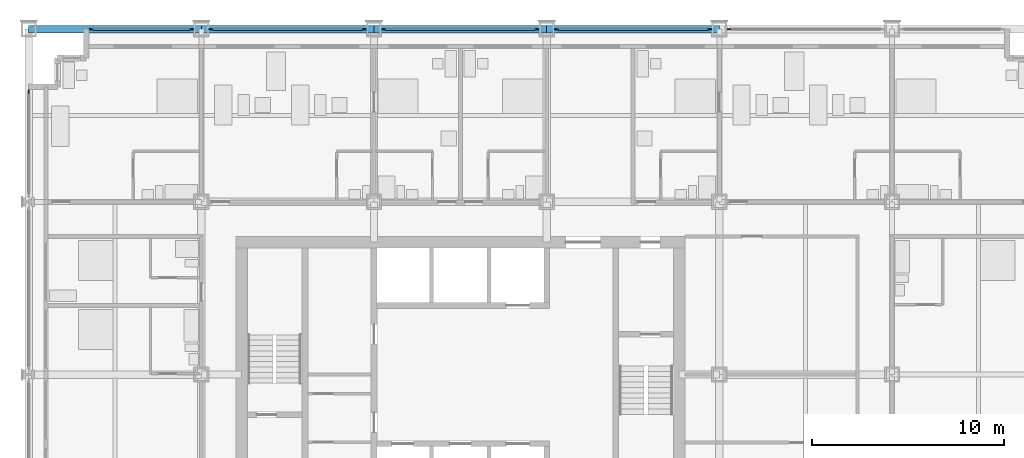
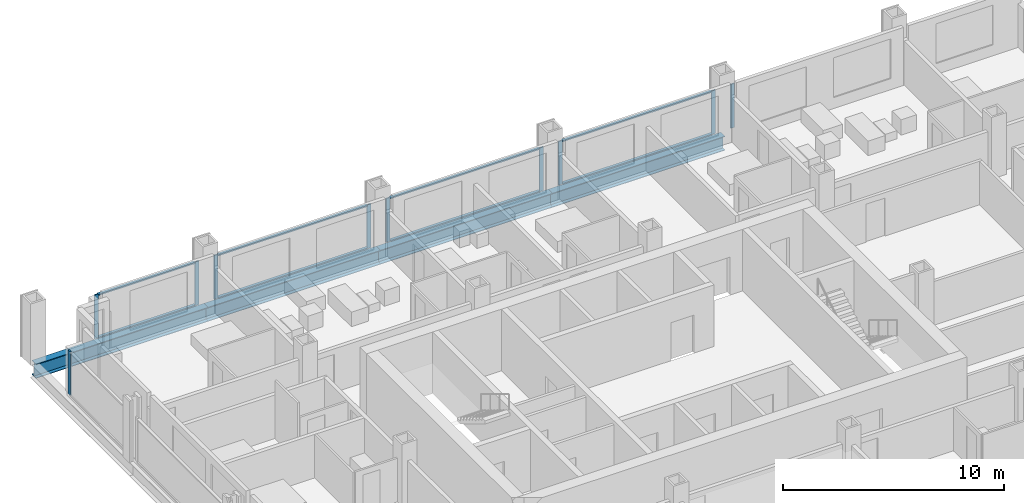
# One storey, part 7 of 18: 18 members, 4 beams, 6 elements without a shape of their own.
"""IFC4 building model written with IfcOpenShell, lengths in metres."""

from ifc_helpers import new_model, si_unit, direction, frame, origin, origin_2d, place, context, subcontext, project, spatial, rectangle, i_section, extrude, material, material_profile, profile_set, type_object, element, aggregate, save


model = new_model("IFC4")

# Units and contexts
model_context = context("Model", 3, precision=1e-05, world=origin(), true_north=direction((0.0, 1.0)))
body_context = subcontext(model_context, "Body", "Model", "MODEL_VIEW")
ifc_project = project(units=[si_unit("LENGTHUNIT", "METRE"), si_unit("AREAUNIT", "SQUARE_METRE"), si_unit("VOLUMEUNIT", "CUBIC_METRE"), si_unit("PLANEANGLEUNIT", "RADIAN"), si_unit("MASSUNIT", "GRAM", prefix="KILO")], contexts=[model_context])

# Site, building, storey
site_placement = place(None, origin())
site = spatial("IfcSite", under=ifc_project, at=site_placement, CompositionType="ELEMENT")
building_placement = place(site_placement, origin())
building = spatial("IfcBuilding", under=site, at=building_placement, Name="Loomwork Tower", CompositionType="ELEMENT")
storey_placement = place(building_placement, frame((0.0, 0.0, 45.0)))
storey = spatial("IfcBuildingStorey", under=building, at=storey_placement, Name="L10", CompositionType="ELEMENT", Elevation=45.0)

# Curtain wall, members
ifc_material_1 = material(Name="Aluminium curtain wall frame", Category="aluminium")
curtain_wall_type = type_object("IfcCurtainWallType", Name="Outer skin glazing hotel", PredefinedType="NOTDEFINED", material=ifc_material_1)
curtain_wall_1_placement = place(storey_placement, origin())
curtain_wall_1 = element("IfcCurtainWall", 1, at=curtain_wall_1_placement, inside=storey, type_object=curtain_wall_type, Name="Outer skin glazing hotel cw/N-0", PredefinedType="NOTDEFINED")
ifc_material_2 = material(Name="Aluminium curtain wall frame", Category="aluminium")
ifc_material_profile_1 = material_profile(ifc_material_2, rectangle(XDim=0.06494140625, YDim=0.199951171875, at=origin_2d()), Name="AL 65x200")
ifc_profile_set_1 = profile_set([ifc_material_profile_1], Name="Aluminium curtain wall frame")
member_type_1 = type_object("IfcMemberType", Name="Outer skin glazing hotel mullion", PredefinedType="MULLION", material=ifc_profile_set_1)
member_1_placement = place(storey_placement, frame((8.5, 36.0, 0.0), z_axis=(0.0, 0.0, 1.0), x_axis=(0.0, -1.0, 0.0)))
member_1 = element("IfcMember", 2, at=member_1_placement, type_object=member_type_1, Name="CW1 mullion 1", PredefinedType="MULLION", context=body_context, shape_type="SweptSolid", body=[
    extrude(rectangle(XDim=0.06494140625, YDim=0.199951171875, at=origin_2d()), origin(), (0.0, 0.0, 1.0), 2.420166015625),
])
member_2_placement = place(storey_placement, frame((3.25, 36.0, 0.0), z_axis=(0.0, 0.0, 1.0), x_axis=(0.0, -1.0, 0.0)))
member_2 = element("IfcMember", 3, at=member_2_placement, type_object=member_type_1, Name="CW1 mullion 2", PredefinedType="MULLION", context=body_context, shape_type="SweptSolid", body=[
    extrude(rectangle(XDim=0.06494140625, YDim=0.199951171875, at=origin_2d()), origin(), (0.0, 0.0, 1.0), 2.420166015625),
])

curtain_wall_2_placement = place(storey_placement, origin())
curtain_wall_2 = element("IfcCurtainWall", 4, at=curtain_wall_2_placement, inside=storey, type_object=curtain_wall_type, Name="Outer skin glazing hotel cw/N-9", PredefinedType="NOTDEFINED")
member_3_placement = place(storey_placement, frame((17.5, 36.0, 0.0), z_axis=(0.0, 0.0, 1.0), x_axis=(0.0, -1.0, 0.0)))
member_3 = element("IfcMember", 5, at=member_3_placement, type_object=member_type_1, Name="CW1 mullion 1", PredefinedType="MULLION", context=body_context, shape_type="SweptSolid", body=[
    extrude(rectangle(XDim=0.06494140625, YDim=0.199951171875, at=origin_2d()), origin(), (0.0, 0.0, 1.0), 2.420166015625),
])
member_4_placement = place(storey_placement, frame((9.5, 36.0, 0.0), z_axis=(0.0, 0.0, 1.0), x_axis=(0.0, -1.0, 0.0)))
member_4 = element("IfcMember", 6, at=member_4_placement, type_object=member_type_1, Name="CW1 mullion 2", PredefinedType="MULLION", context=body_context, shape_type="SweptSolid", body=[
    extrude(rectangle(XDim=0.06494140625, YDim=0.199951171875, at=origin_2d()), origin(), (0.0, 0.0, 1.0), 2.420166015625),
])

curtain_wall_3_placement = place(storey_placement, origin())
curtain_wall_3 = element("IfcCurtainWall", 7, at=curtain_wall_3_placement, inside=storey, type_object=curtain_wall_type, Name="Outer skin glazing hotel cw/N-18", PredefinedType="NOTDEFINED")
member_5_placement = place(storey_placement, frame((26.5, 36.0, 0.0), z_axis=(0.0, 0.0, 1.0), x_axis=(0.0, -1.0, 0.0)))
member_5 = element("IfcMember", 8, at=member_5_placement, type_object=member_type_1, Name="CW1 mullion 1", PredefinedType="MULLION", context=body_context, shape_type="SweptSolid", body=[
    extrude(rectangle(XDim=0.06494140625, YDim=0.199951171875, at=origin_2d()), origin(), (0.0, 0.0, 1.0), 2.420166015625),
])
member_6_placement = place(storey_placement, frame((18.5, 36.0, 0.0), z_axis=(0.0, 0.0, 1.0), x_axis=(0.0, -1.0, 0.0)))
member_6 = element("IfcMember", 9, at=member_6_placement, type_object=member_type_1, Name="CW1 mullion 2", PredefinedType="MULLION", context=body_context, shape_type="SweptSolid", body=[
    extrude(rectangle(XDim=0.06494140625, YDim=0.199951171875, at=origin_2d()), origin(), (0.0, 0.0, 1.0), 2.420166015625),
])

curtain_wall_4_placement = place(storey_placement, origin())
curtain_wall_4 = element("IfcCurtainWall", 10, at=curtain_wall_4_placement, inside=storey, type_object=curtain_wall_type, Name="Outer skin glazing hotel cw/N-27", PredefinedType="NOTDEFINED")
member_7_placement = place(storey_placement, frame((35.5, 36.0, 0.0), z_axis=(0.0, 0.0, 1.0), x_axis=(0.0, -1.0, 0.0)))
member_7 = element("IfcMember", 11, at=member_7_placement, type_object=member_type_1, Name="CW1 mullion 1", PredefinedType="MULLION", context=body_context, shape_type="SweptSolid", body=[
    extrude(rectangle(XDim=0.06494140625, YDim=0.199951171875, at=origin_2d()), origin(), (0.0, 0.0, 1.0), 2.420166015625),
])
member_8_placement = place(storey_placement, frame((27.5, 36.0, 0.0), z_axis=(0.0, 0.0, 1.0), x_axis=(0.0, -1.0, 0.0)))
member_8 = element("IfcMember", 12, at=member_8_placement, type_object=member_type_1, Name="CW1 mullion 2", PredefinedType="MULLION", context=body_context, shape_type="SweptSolid", body=[
    extrude(rectangle(XDim=0.06494140625, YDim=0.199951171875, at=origin_2d()), origin(), (0.0, 0.0, 1.0), 2.420166015625),
])

# Curtain wall, member
curtain_wall_5_placement = place(storey_placement, origin())
curtain_wall_5 = element("IfcCurtainWall", 13, at=curtain_wall_5_placement, inside=storey, type_object=curtain_wall_type, Name="Outer skin glazing hotel cw/N-36", PredefinedType="NOTDEFINED")
member_9_placement = place(storey_placement, frame((36.5, 36.0, 0.0), z_axis=(0.0, 0.0, 1.0), x_axis=(0.0, -1.0, 0.0)))
member_9 = element("IfcMember", 14, at=member_9_placement, type_object=member_type_1, Name="CW1 mullion 2", PredefinedType="MULLION", context=body_context, shape_type="SweptSolid", body=[
    extrude(rectangle(XDim=0.06494140625, YDim=0.199951171875, at=origin_2d()), origin(), (0.0, 0.0, 1.0), 2.420166015625),
])
aggregate(curtain_wall_5, [member_9])

curtain_wall_6_placement = place(storey_placement, origin())
curtain_wall_6 = element("IfcCurtainWall", 15, at=curtain_wall_6_placement, inside=storey, type_object=curtain_wall_type, Name="Outer skin glazing hotel cw/W-27", PredefinedType="NOTDEFINED")
member_10_placement = place(storey_placement, frame((0.0, 32.75, 0.0), z_axis=(0.0, 0.0, 1.0), x_axis=(1.0, 0.0, 0.0)))
member_10 = element("IfcMember", 16, at=member_10_placement, type_object=member_type_1, Name="CW1 mullion 1", PredefinedType="MULLION", context=body_context, shape_type="SweptSolid", body=[
    extrude(rectangle(XDim=0.06494140625, YDim=0.199951171875, at=origin_2d()), origin(), (0.0, 0.0, 1.0), 2.420166015625),
])
aggregate(curtain_wall_6, [member_10])

# Member
ifc_material_3 = material(Name="Aluminium curtain wall frame", Category="aluminium")
ifc_material_profile_2 = material_profile(ifc_material_3, rectangle(XDim=0.14990234375, YDim=0.06494140625, at=origin_2d()), Name="AL 65x150")
ifc_profile_set_2 = profile_set([ifc_material_profile_2], Name="Aluminium curtain wall frame")
member_type_2 = type_object("IfcMemberType", Name="Outer skin glazing hotel transom", PredefinedType="USERDEFINED", material=ifc_profile_set_2)
member_11_placement = place(storey_placement, frame((8.39990234375, 36.0, 0.032470703125), z_axis=(-1.0, 0.0, 0.0), x_axis=(0.0, -1.0, 0.0)))
member_11 = element("IfcMember", 17, at=member_11_placement, type_object=member_type_2, Name="CW1 transom 1.1", ObjectType="TRANSOM", PredefinedType="USERDEFINED", context=body_context, shape_type="SweptSolid", body=[
    extrude(rectangle(XDim=0.14990234375, YDim=0.06494140625, at=origin_2d()), origin(), (0.0, 0.0, 1.0), 5.0498046875),
])

member_12_placement = place(storey_placement, frame((8.39990234375, 36.0, 2.3876953125), z_axis=(-1.0, 0.0, 0.0), x_axis=(0.0, -1.0, 0.0)))
member_12 = element("IfcMember", 18, at=member_12_placement, type_object=member_type_2, Name="CW1 transom 1.2", ObjectType="TRANSOM", PredefinedType="USERDEFINED", context=body_context, shape_type="SweptSolid", body=[
    extrude(rectangle(XDim=0.14990234375, YDim=0.06494140625, at=origin_2d()), origin(), (0.0, 0.0, 1.0), 5.0498046875),
])

aggregate(curtain_wall_1, [member_1, member_2, member_11, member_12])

member_13_placement = place(storey_placement, frame((17.39990234375, 36.0, 0.032470703125), z_axis=(-1.0, 0.0, 0.0), x_axis=(0.0, -1.0, 0.0)))
member_13 = element("IfcMember", 19, at=member_13_placement, type_object=member_type_2, Name="CW1 transom 1.1", ObjectType="TRANSOM", PredefinedType="USERDEFINED", context=body_context, shape_type="SweptSolid", body=[
    extrude(rectangle(XDim=0.14990234375, YDim=0.06494140625, at=origin_2d()), origin(), (0.0, 0.0, 1.0), 7.7998046875),
])

member_14_placement = place(storey_placement, frame((17.39990234375, 36.0, 2.3876953125), z_axis=(-1.0, 0.0, 0.0), x_axis=(0.0, -1.0, 0.0)))
member_14 = element("IfcMember", 20, at=member_14_placement, type_object=member_type_2, Name="CW1 transom 1.2", ObjectType="TRANSOM", PredefinedType="USERDEFINED", context=body_context, shape_type="SweptSolid", body=[
    extrude(rectangle(XDim=0.14990234375, YDim=0.06494140625, at=origin_2d()), origin(), (0.0, 0.0, 1.0), 7.7998046875),
])

aggregate(curtain_wall_2, [member_3, member_4, member_13, member_14])

member_15_placement = place(storey_placement, frame((26.39990234375, 36.0, 0.032470703125), z_axis=(-1.0, 0.0, 0.0), x_axis=(0.0, -1.0, 0.0)))
member_15 = element("IfcMember", 21, at=member_15_placement, type_object=member_type_2, Name="CW1 transom 1.1", ObjectType="TRANSOM", PredefinedType="USERDEFINED", context=body_context, shape_type="SweptSolid", body=[
    extrude(rectangle(XDim=0.14990234375, YDim=0.06494140625, at=origin_2d()), origin(), (0.0, 0.0, 1.0), 7.7998046875),
])

member_16_placement = place(storey_placement, frame((26.39990234375, 36.0, 2.3876953125), z_axis=(-1.0, 0.0, 0.0), x_axis=(0.0, -1.0, 0.0)))
member_16 = element("IfcMember", 22, at=member_16_placement, type_object=member_type_2, Name="CW1 transom 1.2", ObjectType="TRANSOM", PredefinedType="USERDEFINED", context=body_context, shape_type="SweptSolid", body=[
    extrude(rectangle(XDim=0.14990234375, YDim=0.06494140625, at=origin_2d()), origin(), (0.0, 0.0, 1.0), 7.7998046875),
])

aggregate(curtain_wall_3, [member_5, member_6, member_15, member_16])

member_17_placement = place(storey_placement, frame((35.39990234375, 36.0, 0.032470703125), z_axis=(-1.0, 0.0, 0.0), x_axis=(0.0, -1.0, 0.0)))
member_17 = element("IfcMember", 23, at=member_17_placement, type_object=member_type_2, Name="CW1 transom 1.1", ObjectType="TRANSOM", PredefinedType="USERDEFINED", context=body_context, shape_type="SweptSolid", body=[
    extrude(rectangle(XDim=0.14990234375, YDim=0.06494140625, at=origin_2d()), origin(), (0.0, 0.0, 1.0), 7.7998046875),
])

member_18_placement = place(storey_placement, frame((35.39990234375, 36.0, 2.3876953125), z_axis=(-1.0, 0.0, 0.0), x_axis=(0.0, -1.0, 0.0)))
member_18 = element("IfcMember", 24, at=member_18_placement, type_object=member_type_2, Name="CW1 transom 1.2", ObjectType="TRANSOM", PredefinedType="USERDEFINED", context=body_context, shape_type="SweptSolid", body=[
    extrude(rectangle(XDim=0.14990234375, YDim=0.06494140625, at=origin_2d()), origin(), (0.0, 0.0, 1.0), 7.7998046875),
])

aggregate(curtain_wall_4, [member_7, member_8, member_17, member_18])

# Beams
ifc_material_4 = material(Name="Steel ASTM A992", Category="steel")
ifc_material_profile_3 = material_profile(ifc_material_4, i_section(OverallWidth=0.381103515625, OverallDepth=0.77978515625, WebThickness=0.01806640625, FlangeThickness=0.0302734375, at=origin_2d()), Name="W30x191")
ifc_profile_set_3 = profile_set([ifc_material_profile_3], Name="Steel ASTM A992")
beam_type = type_object("IfcBeamType", Name="SPANDREL GIRDER W30x191", PredefinedType="SPANDREL", material=ifc_profile_set_3)
for number, where, z_axis, x_axis, name in (
    (25, (0.0, 36.0, -0.58984375), (1.0, 0.0, 0.0), (0.0, 1.0, 0.0), "Spandrel Girder H/2-H/3 L10"),
    (26, (9.0, 36.0, -0.58984375), (1.0, 0.0, 0.0), (0.0, 1.0, 0.0), "Spandrel Girder H/3-H/4 L10"),
    (27, (18.0, 36.0, -0.58984375), (1.0, 0.0, 0.0), (0.0, 1.0, 0.0), "Spandrel Girder H/4-H/5 L10"),
    (28, (27.0, 36.0, -0.58984375), (1.0, 0.0, 0.0), (0.0, 1.0, 0.0), "Spandrel Girder H/5-H/6 L10"),
):
    element("IfcBeam", number, at=place(storey_placement, frame(where, z_axis=z_axis, x_axis=x_axis)), inside=storey, type_object=beam_type, Name=name, PredefinedType="SPANDREL", context=body_context, shape_type="SweptSolid", body=[
        extrude(i_section(OverallWidth=0.381103515625, OverallDepth=0.77978515625, WebThickness=0.01806640625, FlangeThickness=0.0302734375, at=origin_2d()), origin(), (0.0, 0.0, 1.0), 9.0),
    ])

save(model, "model.ifc")
